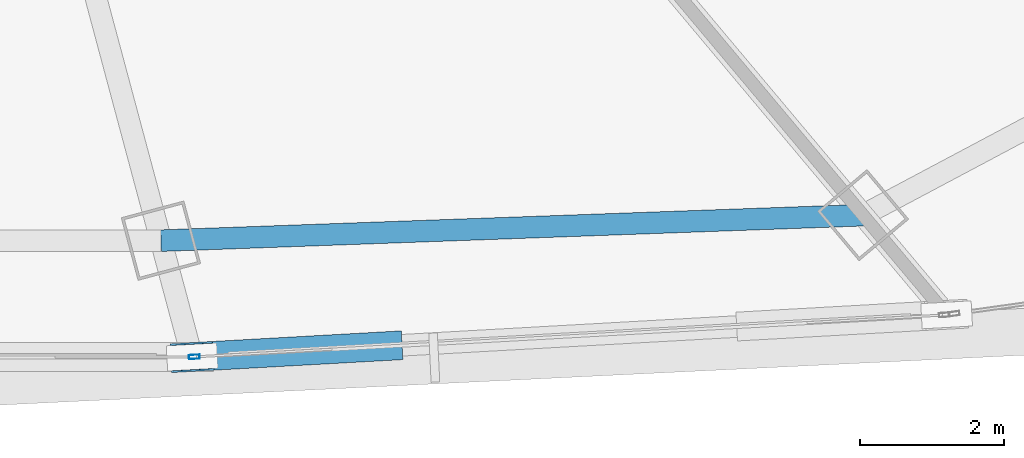
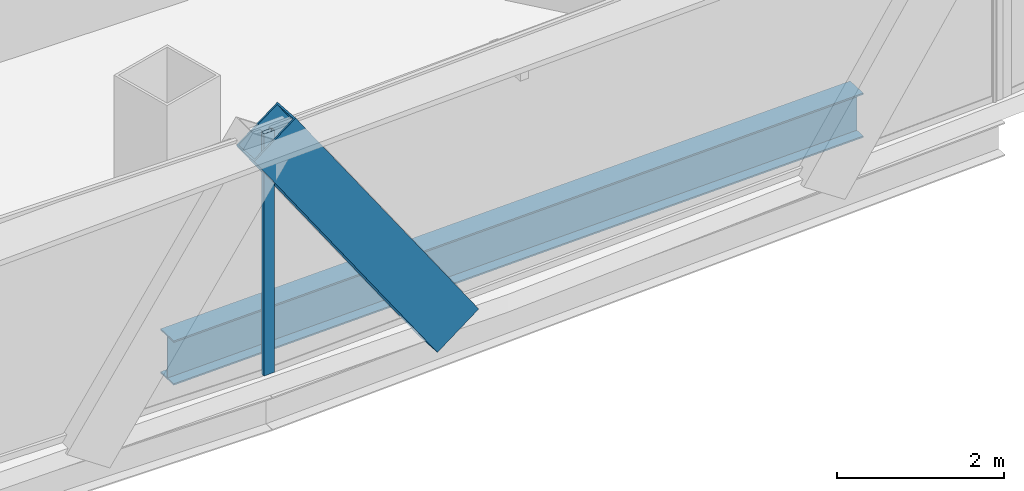
# One storey, part 12 of 38: 2 members, 1 beam, 1 element without a shape of its own.
"""IFC4 building model written with IfcOpenShell, lengths in metres."""

from ifc_helpers import new_model, si_unit, direction, frame, origin, origin_2d, place, context, subcontext, project, spatial, hollow_rectangle, i_section, extrude, source, transform, mapped, material, layer, layer_set, material_profile, profile_set, type_object, element, aggregate, save


model = new_model("IFC4")

# Units and contexts
model_context = context("Model", 3, precision=1e-05, world=origin(), true_north=direction((0.0, 1.0)))
body_context = subcontext(model_context, "Body", "Model", "MODEL_VIEW")
ifc_project = project(units=[si_unit("LENGTHUNIT", "METRE"), si_unit("AREAUNIT", "SQUARE_METRE"), si_unit("VOLUMEUNIT", "CUBIC_METRE"), si_unit("PLANEANGLEUNIT", "RADIAN"), si_unit("MASSUNIT", "GRAM", prefix="KILO"), si_unit("THERMODYNAMICTEMPERATUREUNIT", "KELVIN"), si_unit("POWERUNIT", "WATT")], contexts=[model_context])

# Site, building, storey
site_placement = place(None, origin())
site = spatial("IfcSite", under=ifc_project, at=site_placement, CompositionType="ELEMENT")
building_placement = place(site_placement, origin())
building = spatial("IfcBuilding", under=site, at=building_placement, Name="Yunzhuo Pagoda Commons", CompositionType="ELEMENT")
storey_placement = place(building_placement, frame((0.0, 0.0, 203.760009765625)))
storey = spatial("IfcBuildingStorey", under=building, at=storey_placement, Name="L51", CompositionType="ELEMENT", Elevation=203.760009765625)

# Beam
ifc_material_1 = material(Name="Structural steel Q355B", Category="steel")
ifc_material_profile_1 = material_profile(ifc_material_1, i_section(OverallWidth=0.300048828125, OverallDepth=0.64990234375, WebThickness=0.012939453125, FlangeThickness=0.02197265625, at=origin_2d()), Name="Structural steel Q355B")
ifc_profile_set_1 = profile_set([ifc_material_profile_1], Name="Structural steel Q355B")
beam_type = type_object("IfcBeamType", Name="B-RG2 Beam HN 650x300x13x22", PredefinedType="BEAM", material=ifc_profile_set_1)
shared_shape_1 = source(origin(), body_context, "Body", "SweptSolid", [
    extrude(i_section(OverallWidth=0.300048828125, OverallDepth=0.64990234375, WebThickness=0.012939453125, FlangeThickness=0.02197265625, at=origin_2d()), origin(), (0.0, 0.0, 1.0), 9.754638671875),
])
beam_placement = place(storey_placement, frame((52.712890625, 16.1123046875, -0.5849609375), z_axis=(0.999343095614, 0.036240547032, 0.0), x_axis=(-0.036240547032, 0.999343095614, 0.0)))
element("IfcBeam", 1, at=beam_placement, inside=storey, type_object=beam_type, Name="L51 column-ring beam 3", PredefinedType="BEAM", context=body_context, shape_type="MappedRepresentation", body=[
    mapped(shared_shape_1, transform((0.0, 0.0, 0.0), scale=1.0)),
])

# Member
ifc_material_profile_2 = material_profile(ifc_material_1, hollow_rectangle(XDim=0.39990234375, YDim=0.719970703125, WallThickness=0.02392578125, at=origin_2d()), Name="Structural steel Q355B")
ifc_profile_set_2 = profile_set([ifc_material_profile_2], Name="Structural steel Q355B")
member_type_1 = type_object("IfcMemberType", Name="M-DL2 Brace BOX 720x400x24", PredefinedType="BRACE", material=ifc_profile_set_2)
shared_shape_2 = source(origin(), body_context, "Body", "SweptSolid", [
    extrude(hollow_rectangle(XDim=0.39990234375, YDim=0.719970703125, WallThickness=0.02392578125, at=origin_2d()), origin(), (0.0, 0.0, 1.0), 4.617431640625),
])
member_1_placement = place(storey_placement, frame((55.7646484375, 14.6435546875, -0.260009765625), z_axis=(-0.567213952118, -0.03177624769, 0.822957230119), x_axis=(0.05593392227, -0.998434472732, 0.0)))
element("IfcMember", 2, at=member_1_placement, inside=storey, type_object=member_type_1, Name="L51 facade diamond brace F1.3L", PredefinedType="BRACE", context=body_context, shape_type="MappedRepresentation", body=[
    mapped(shared_shape_2, transform((0.0, 0.0, 0.0), scale=1.0)),
])

# Curtain wall, member
ifc_material_2 = material(Name="Anodized aluminium 6063-T6", Category="aluminium")
ifc_layer = layer(ifc_material_2, 0.14990234375)
ifc_layer_set = layer_set([ifc_layer], Name="Anodized aluminium 6063-T6")
curtain_wall_type = type_object("IfcCurtainWallType", Name="CW-MID Mid-Zone Ribbon Curtain Wall", PredefinedType="NOTDEFINED", material=ifc_layer_set)
curtain_wall_placement = place(storey_placement, origin())
curtain_wall = element("IfcCurtainWall", 3, at=curtain_wall_placement, inside=storey, type_object=curtain_wall_type, Name="L51 curtain wall CW-L51-F1B4", PredefinedType="NOTDEFINED")
ifc_material_profile_3 = material_profile(ifc_material_2, hollow_rectangle(XDim=0.06005859375, YDim=0.14990234375, WallThickness=0.00390625, at=origin_2d()), Name="Anodized aluminium 6063-T6")
ifc_profile_set_3 = profile_set([ifc_material_profile_3], Name="Anodized aluminium 6063-T6")
member_type_2 = type_object("IfcMemberType", Name="CW-MID-M Mullion RHS 150x60x4", PredefinedType="MULLION", material=ifc_profile_set_3)
shared_shape_3 = source(origin(), body_context, "Body", "SweptSolid", [
    extrude(hollow_rectangle(XDim=0.06005859375, YDim=0.14990234375, WallThickness=0.00390625, at=origin_2d()), origin(), (0.0, 0.0, 1.0), 3.5400390625),
])
member_2_placement = place(storey_placement, frame((53.175537109375, 14.49853515625, 0.0), z_axis=(0.0, 0.0, 1.0), x_axis=(-0.055819443993, 0.998440879408, 0.0)))
member_2 = element("IfcMember", 4, at=member_2_placement, type_object=member_type_2, Name="CW mullion 1", PredefinedType="MULLION", context=body_context, shape_type="MappedRepresentation", body=[
    mapped(shared_shape_3, transform((0.0, 0.0, 0.0), scale=1.0)),
])
aggregate(curtain_wall, [member_2])

save(model, "model.ifc")
